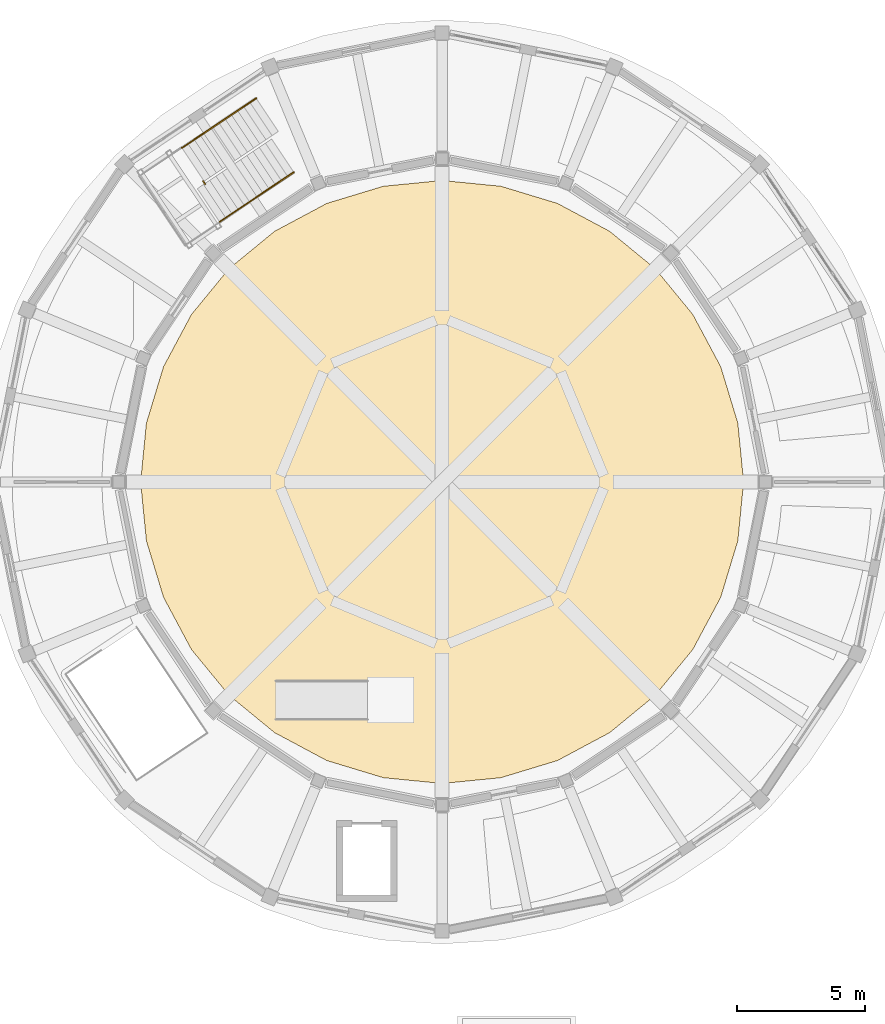
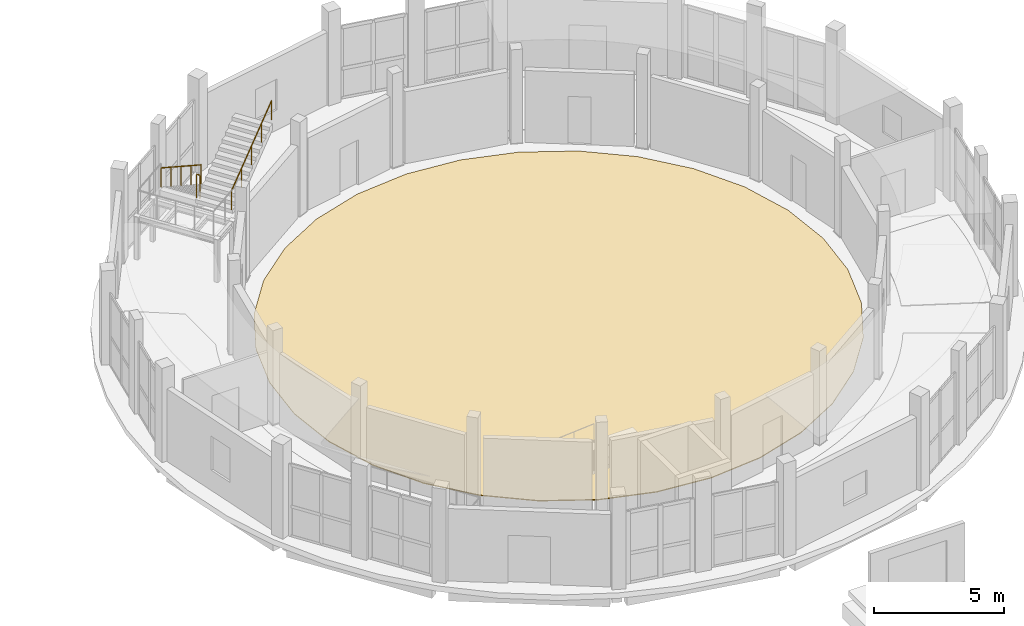
# One storey, part 91 of 92: 3 railings, 1 covering.
"""IFC4 building model written with IfcOpenShell, lengths in metres."""

from ifc_helpers import new_model, si_unit, direction, frame, origin, origin_2d, place, context, subcontext, project, spatial, polyline, circle, outline, extrude, material, layer, layer_set, type_object, element, save


model = new_model("IFC4")

# Units and contexts
model_context = context("Model", 3, precision=1e-05, world=origin(), true_north=direction((0.0, 1.0)))
body_context = subcontext(model_context, "Body", "Model", "MODEL_VIEW")
ifc_project = project(units=[si_unit("LENGTHUNIT", "METRE"), si_unit("AREAUNIT", "SQUARE_METRE"), si_unit("VOLUMEUNIT", "CUBIC_METRE"), si_unit("PLANEANGLEUNIT", "RADIAN"), si_unit("MASSUNIT", "GRAM", prefix="KILO")], contexts=[model_context])

# Site, building, storey
site_placement = place(None, origin())
site = spatial("IfcSite", under=ifc_project, at=site_placement, CompositionType="ELEMENT")
building_placement = place(site_placement, origin())
building = spatial("IfcBuilding", under=site, at=building_placement, Name="Caldaven Crescent School", CompositionType="ELEMENT")
storey_placement = place(building_placement, origin())
storey = spatial("IfcBuildingStorey", under=building, at=storey_placement, Name="L00", CompositionType="ELEMENT", Elevation=0.0)

# Covering
ifc_material_1 = material(Name="Sprung maple sports court flooring")
ifc_layer = layer(ifc_material_1, 0.0380859375)
ifc_layer_set = layer_set([ifc_layer], Name="Sprung maple sports court flooring")
covering_type = type_object("IfcCoveringType", Name="COV-FLR4", PredefinedType="FLOORING", material=ifc_layer_set)
covering_placement = place(storey_placement, origin())
element("IfcCovering", 1, at=covering_placement, inside=storey, type_object=covering_type, Name="FLR-L00-006", PredefinedType="FLOORING", context=body_context, shape_type="SweptSolid", body=[
    extrude(outline(polyline([(164.022216796875, 96.2080078125), (163.353515625, 94.00439453125), (162.267822265625, 91.97314453125), (160.806884765625, 90.193115234375), (159.02685546875, 88.732177734375), (156.99560546875, 87.646484375), (154.7919921875, 86.977783203125), (152.5, 86.752197265625), (150.2080078125, 86.977783203125), (148.00439453125, 87.646484375), (145.97314453125, 88.732177734375), (144.193115234375, 90.193115234375), (142.732177734375, 91.97314453125), (141.646484375, 94.00439453125), (140.977783203125, 96.2080078125), (140.752197265625, 98.5), (140.977783203125, 100.7919921875), (141.646484375, 102.99560546875), (142.732177734375, 105.02685546875), (144.193115234375, 106.806884765625), (145.97314453125, 108.267822265625), (148.00439453125, 109.353515625), (150.2080078125, 110.022216796875), (152.5, 110.247802734375), (154.7919921875, 110.022216796875), (156.99560546875, 109.353515625), (159.02685546875, 108.267822265625), (160.806884765625, 106.806884765625), (162.267822265625, 105.02685546875), (163.353515625, 102.99560546875), (164.022216796875, 100.7919921875), (164.247802734375, 98.5), (164.022216796875, 96.2080078125)])), origin(), (0.0, 0.0, 1.0), 0.0380859375),
])

# Railings
ifc_material_2 = material(Name="Brushed stainless-steel continuous tubular handrail", Category="steel")
railing_type_1 = type_object("IfcRailingType", Name="RAL-HR3", PredefinedType="HANDRAIL", material=ifc_material_2)
railing_1_placement = place(storey_placement, frame((145.25390625, 113.448486328125, 0.173095703125)))
element("IfcRailing", 2, at=railing_1_placement, inside=storey, type_object=railing_type_1, Name="HR-STV1-L00-F1", PredefinedType="HANDRAIL", context=body_context, shape_type="SweptSolid", body=[
    extrude(circle(Radius=0.02392578125, at=origin_2d()), frame((0.0, 0.0, 0.89599609375), z_axis=(-0.717333421343, -0.47929154266, 0.505680116041), x_axis=(0.555557951669, -0.831477818308, 0.0)), (0.0, 0.0, 1.0), 4.03369140625),
    extrude(circle(Radius=0.02099609375, at=origin_2d()), origin(), (0.0, 0.0, 1.0), 0.871826171875),
    extrude(circle(Radius=0.02099609375, at=origin_2d()), frame((-0.723388671875, -0.4833984375, 0.510009765625)), (0.0, 0.0, 1.0), 0.871826171875),
    extrude(circle(Radius=0.02099609375, at=origin_2d()), frame((-1.44677734375, -0.966796875, 1.02001953125)), (0.0, 0.0, 1.0), 0.871826171875),
    extrude(circle(Radius=0.02099609375, at=origin_2d()), frame((-2.170166015625, -1.449951171875, 1.52978515625)), (0.0, 0.0, 1.0), 0.871826171875),
    extrude(circle(Radius=0.02099609375, at=origin_2d()), frame((-2.8935546875, -1.933349609375, 2.039794921875)), (0.0, 0.0, 1.0), 0.871826171875),
])
railing_2_placement = place(storey_placement, frame((143.82763671875, 108.635009765625, 2.383056640625)))
element("IfcRailing", 3, at=railing_2_placement, inside=storey, type_object=railing_type_1, Name="HR-STV1-L00-F2", PredefinedType="HANDRAIL", context=body_context, shape_type="SweptSolid", body=[
    extrude(circle(Radius=0.02392578125, at=origin_2d()), frame((0.0, 0.0, 0.89599609375), z_axis=(0.717311466394, 0.479276873302, 0.505725161424), x_axis=(-0.555557951669, 0.831477818308, 0.0)), (0.0, 0.0, 1.0), 4.033935546875),
    extrude(circle(Radius=0.02099609375, at=origin_2d()), origin(), (0.0, 0.0, 1.0), 0.871826171875),
    extrude(circle(Radius=0.02099609375, at=origin_2d()), frame((0.723388671875, 0.4833984375, 0.510009765625)), (0.0, 0.0, 1.0), 0.871826171875),
    extrude(circle(Radius=0.02099609375, at=origin_2d()), frame((1.44677734375, 0.966796875, 1.02001953125)), (0.0, 0.0, 1.0), 0.871826171875),
    extrude(circle(Radius=0.02099609375, at=origin_2d()), frame((2.170166015625, 1.449951171875, 1.530029296875)), (0.0, 0.0, 1.0), 0.871826171875),
    extrude(circle(Radius=0.02099609375, at=origin_2d()), frame((2.8935546875, 1.933349609375, 2.0400390625)), (0.0, 0.0, 1.0), 0.871826171875),
])
ifc_material_3 = material(Name="Powder-coated tubular steel balustrade ASTM A572 Grade 50", Category="steel")
railing_type_2 = type_object("IfcRailingType", Name="RAL-INT2", PredefinedType="BALUSTRADE", material=ifc_material_3)
railing_3_placement = place(storey_placement, frame((143.188232421875, 110.22216796875, 2.2099609375)))
element("IfcRailing", 4, at=railing_3_placement, inside=storey, type_object=railing_type_2, Name="GD-SLT-STV1-L00", PredefinedType="BALUSTRADE", context=body_context, shape_type="SweptSolid", body=[
    extrude(circle(Radius=0.02392578125, at=origin_2d()), frame((0.0, 0.0, 1.09619140625), z_axis=(0.554700196225, -0.832050294338, 0.0), x_axis=(0.832050294338, 0.554700196225, 0.0)), (0.0, 0.0, 1.0), 0.139892578125),
    extrude(circle(Radius=0.02099609375, at=origin_2d()), origin(), (0.0, 0.0, 1.0), 1.072021484375),
    extrude(circle(Radius=0.02099609375, at=origin_2d()), frame((0.07763671875, -0.116455078125, 0.0)), (0.0, 0.0, 1.0), 1.072021484375),
])

save(model, "model.ifc")
